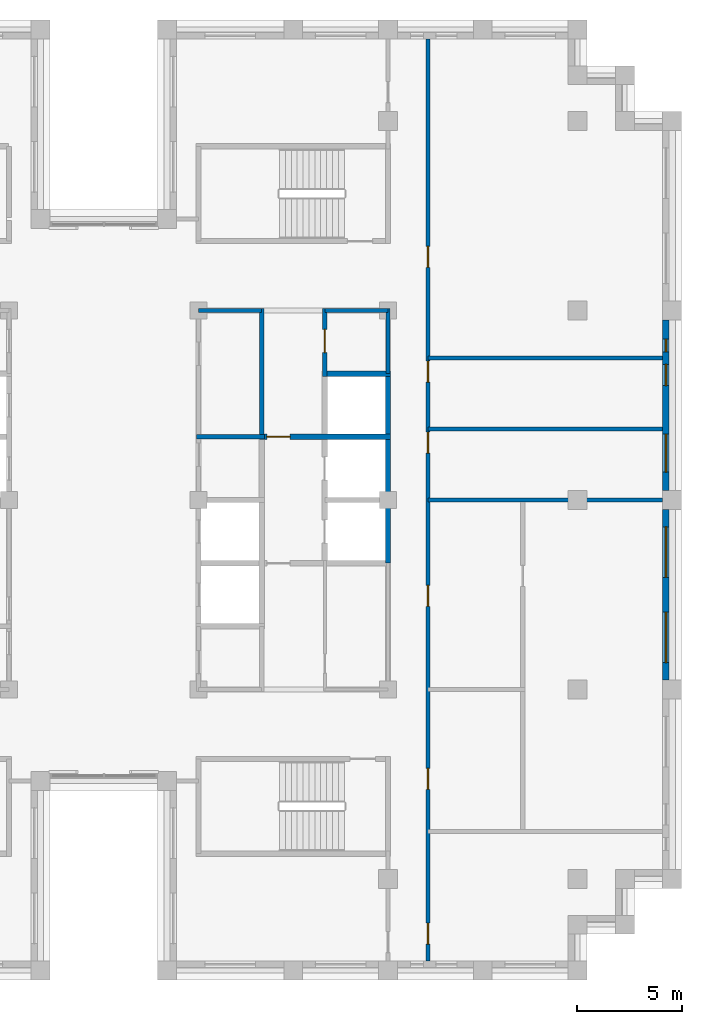
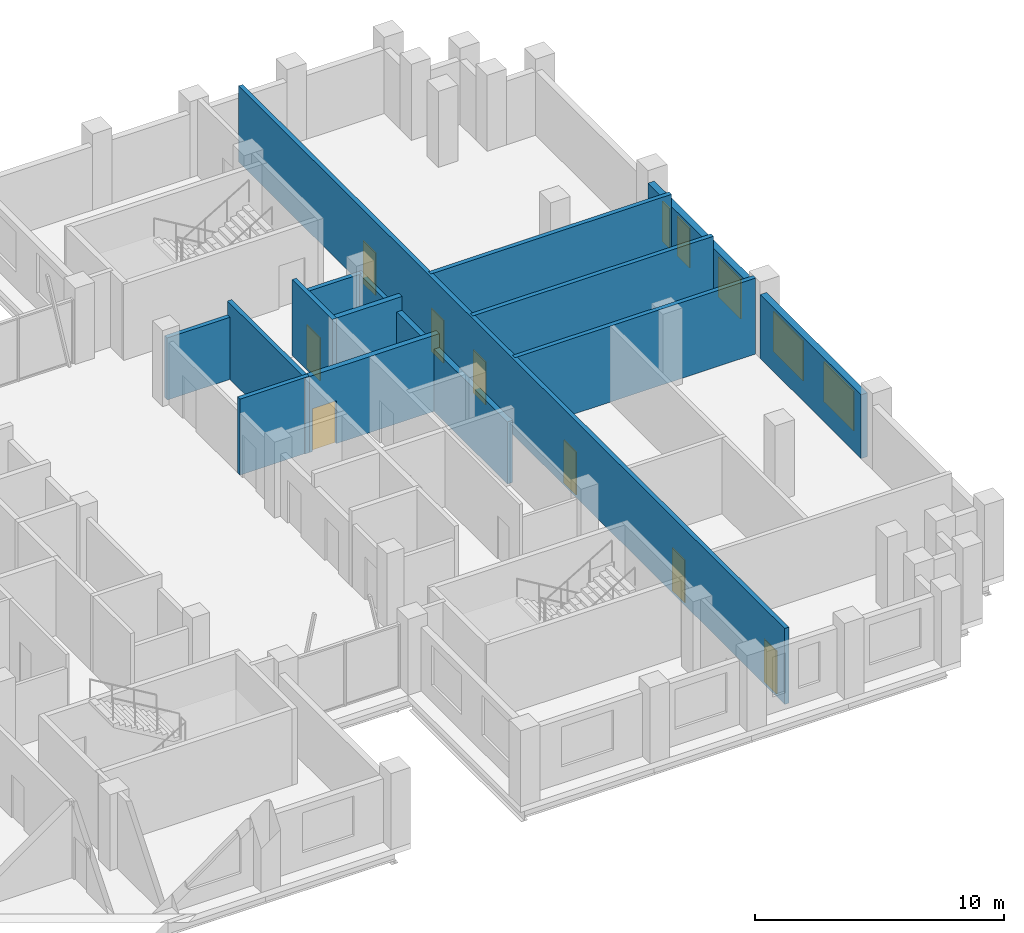
# One storey, part 9 of 13: 15 walls, 8 doors, 5 windows, 13 openings.
"""IFC4 building model written with IfcOpenShell, lengths in metres."""

import ifcopenshell
import ifcopenshell.guid

model = None  # the IFC model being written
_history = None  # IfcOwnerHistory: only IFC2X3 demands one
_inside = {}  # id of a spatial element -> (the spatial element, [elements in it])
_under = {}  # id of a project, library or spatial element -> (it, [spatial elements below it])
_declared = {}  # id of a project -> (the project, [libraries it declares])
_typed = {}  # id of a type object -> (the type object, [elements of that type])
_made_of = {}  # id of a material, layer set ... -> (it, [elements and type objects made of it])


def new_model(schema):
    """Start an empty IFC model of exactly this schema.

    Asked for "IFC4X3", IfcOpenShell would pick the latest addendum, in which some entities
    have other attributes; the version numbers below select the first issue.
    IFC2X3 requires an IfcOwnerHistory on every rooted entity: one is made here for all.
    """
    global model, _history
    if schema == "IFC4X3":
        model = ifcopenshell.file(schema_version=(4, 3, 0, 0))
    else:
        model = ifcopenshell.file(schema=schema)
    _inside.clear()
    _under.clear()
    _declared.clear()
    _typed.clear()
    _made_of.clear()
    _history = None
    if model.schema == "IFC2X3":
        org = make("IfcOrganization", Name="unknown")
        user = make(
            "IfcPersonAndOrganization",
            ThePerson=make("IfcPerson", FamilyName="unknown"),
            TheOrganization=org,
        )
        app = make(
            "IfcApplication",
            ApplicationDeveloper=org,
            Version="unknown",
            ApplicationFullName="unknown",
            ApplicationIdentifier="unknown",
        )
        _history = make(
            "IfcOwnerHistory",
            OwningUser=user,
            OwningApplication=app,
            ChangeAction="ADDED",
            CreationDate=0,
        )
    return model


def make(cls, **values):
    """One entity of the class cls with the attributes given. An attribute that is None is left unset."""
    return model.create_entity(
        cls, **{name: value for name, value in values.items() if value is not None}
    )


def rooted(cls, **values):
    """An entity with a GlobalId (a new one), such as an element, a storey or a relation."""
    return make(cls, GlobalId=ifcopenshell.guid.new(), OwnerHistory=_history, **values)


def si_unit(unit_type, name, prefix=None):
    """IfcSIUnit, for example si_unit("LENGTHUNIT", "METRE", prefix="MILLI")."""
    return make("IfcSIUnit", UnitType=unit_type, Prefix=prefix, Name=name)


def assignment(units):
    """IfcUnitAssignment: the units of a project."""
    return None if units is None else make("IfcUnitAssignment", Units=units)


def point(xyz):
    """IfcCartesianPoint."""
    return None if xyz is None else make("IfcCartesianPoint", Coordinates=xyz)


def direction(xyz):
    """IfcDirection."""
    return None if xyz is None else make("IfcDirection", DirectionRatios=xyz)


def frame(location, z_axis=None, x_axis=None):
    """IfcAxis2Placement3D, a coordinate frame: its origin and axes. An axis left out is left unset."""
    return make(
        "IfcAxis2Placement3D",
        Location=point(location),
        Axis=direction(z_axis),
        RefDirection=direction(x_axis),
    )


def frame_2d(location, x_axis=None):
    """IfcAxis2Placement2D, a coordinate frame in the plane: its origin and x axis."""
    return make(
        "IfcAxis2Placement2D", Location=point(location), RefDirection=direction(x_axis)
    )


def origin():
    """The frame at (0, 0, 0) with its axes left unset."""
    return frame((0.0, 0.0, 0.0))


def place(relative_to, where):
    """IfcLocalPlacement: puts the frame where relative to a parent placement (None: the world)."""
    return make(
        "IfcLocalPlacement", PlacementRelTo=relative_to, RelativePlacement=where
    )


def context(
    kind, dimensions, precision=None, world=None, true_north=None, identifier=None
):
    """IfcGeometricRepresentationContext, for example the 3D "Model" context."""
    return make(
        "IfcGeometricRepresentationContext",
        ContextIdentifier=identifier,
        ContextType=kind,
        CoordinateSpaceDimension=dimensions,
        Precision=precision,
        WorldCoordinateSystem=world,
        TrueNorth=true_north,
    )


def subcontext(parent, identifier, kind, view, scale=None):
    """IfcGeometricRepresentationSubContext, for example "Body" below "Model"."""
    return make(
        "IfcGeometricRepresentationSubContext",
        ContextIdentifier=identifier,
        ContextType=kind,
        ParentContext=parent,
        TargetScale=scale,
        TargetView=view,
    )


def project(units=None, contexts=None):
    """IfcProject with its units and contexts."""
    return rooted(
        "IfcProject",
        Name="project",
        RepresentationContexts=contexts,
        UnitsInContext=assignment(units),
    )


def spatial(cls, under=None, at=None, **own):
    """A site, building, storey or space (cls), placed at a placement, below another one or the project."""
    s = rooted(cls, ObjectPlacement=at, **own)
    if under is not None:
        _under.setdefault(under.id(), (under, []))[1].append(s)
    return s


def profile(cls, at=None, kind="AREA", **sizes):
    """A parametric profile (cls). Its sizes go by their IFC names, for example OverallWidth=200.0."""
    return make(cls, ProfileType=kind, Position=at, **sizes)


def rectangle(**sizes):
    """IfcRectangleProfileDef."""
    return profile("IfcRectangleProfileDef", **sizes)


def extrude(swept, where, along, depth):
    """IfcExtrudedAreaSolid: the profile swept, set in the frame where, extruded along a direction by depth."""
    return make(
        "IfcExtrudedAreaSolid",
        SweptArea=swept,
        Position=where,
        ExtrudedDirection=direction(along),
        Depth=depth,
    )


def shape(context_of_items, identifier, shape_type, items):
    """IfcShapeRepresentation: the items that make up one representation, for example the "Body"."""
    return make(
        "IfcShapeRepresentation",
        ContextOfItems=context_of_items,
        RepresentationIdentifier=identifier,
        RepresentationType=shape_type,
        Items=items,
    )


def material(Name=None, Category=None):
    """IfcMaterial."""
    return make("IfcMaterial", Name=Name, Category=Category)


def layer(
    of_material, thickness, ventilated=None, Name=None, Category=None, Priority=None
):
    """IfcMaterialLayer: one layer of a wall or slab, of a material (None: an air gap)."""
    return make(
        "IfcMaterialLayer",
        Material=of_material,
        LayerThickness=thickness,
        IsVentilated=ventilated,
        Name=Name,
        Category=Category,
        Priority=Priority,
    )


def layer_set(layers, Name=None):
    """IfcMaterialLayerSet."""
    return make("IfcMaterialLayerSet", MaterialLayers=layers, LayerSetName=Name)


def made_of(thing, what):
    """Note that an element or type object is made of a material, layer set ...; save() writes the relation."""
    if what is not None:
        _made_of.setdefault(what.id(), (what, []))[1].append(thing)
    return thing


def type_object(cls, material=None, **own):
    """A type object (cls), such as IfcWallType, which elements share."""
    return made_of(rooted(cls, **own), material)


def element(
    cls,
    number,
    at=None,
    inside=None,
    cuts=None,
    type_object=None,
    material=None,
    context=None,
    identifier="Body",
    shape_type=None,
    held_by="IfcProductDefinitionShape",
    body=None,
    shapes=None,
    **own,
):
    """One element of the class cls, such as IfcWall. Its Tag is "e" and its number.

    at: its placement. inside: the storey or other place that contains it. cuts: it is an
    opening in that element (IfcRelVoidsElement). A single representation is given by context,
    identifier, shape_type and body (its items); several are given by shapes. held_by: the class
    of the entity that holds the representations. save() writes the other relations.
    """
    e = rooted(cls, Tag="e%d" % number, ObjectPlacement=at, **own)
    if body is not None:
        shapes = [shape(context, identifier, shape_type, body)]
    if shapes is not None:
        e.Representation = make(held_by, Representations=shapes)
    if inside is not None:
        _inside.setdefault(inside.id(), (inside, []))[1].append(e)
    if cuts is not None:
        rooted(
            "IfcRelVoidsElement", RelatingBuildingElement=cuts, RelatedOpeningElement=e
        )
    if type_object is not None:
        _typed.setdefault(type_object.id(), (type_object, []))[1].append(e)
    return made_of(e, material)


def fill(opening, filler):
    """IfcRelFillsElement: the door or window that sits in an opening."""
    return rooted(
        "IfcRelFillsElement",
        RelatingOpeningElement=opening,
        RelatedBuildingElement=filler,
    )


def aggregate(whole, parts):
    """IfcRelAggregates: a whole, such as a stair, and the parts it consists of."""
    return rooted("IfcRelAggregates", RelatingObject=whole, RelatedObjects=parts)


def save(model, path):
    """Write the relations noted so far, then the file.

    IfcRelAggregates (storeys below a building ...), IfcRelContainedInSpatialStructure (elements
    in a storey), IfcRelDefinesByType, IfcRelAssociatesMaterial and IfcRelDeclares: one each for
    every whole, place, type object, material and project.
    """
    for whole, parts in _under.values():
        aggregate(whole, parts)
    for where, things in _inside.values():
        rooted(
            "IfcRelContainedInSpatialStructure",
            RelatedElements=things,
            RelatingStructure=where,
        )
    for kind, things in _typed.values():
        rooted("IfcRelDefinesByType", RelatedObjects=things, RelatingType=kind)
    for what, things in _made_of.values():
        rooted("IfcRelAssociatesMaterial", RelatedObjects=things, RelatingMaterial=what)
    for by, libraries in _declared.values():
        rooted("IfcRelDeclares", RelatingContext=by, RelatedDefinitions=libraries)
    model.write(path)


model = new_model("IFC4")

# Units and contexts
model_context = context("Model", 3, precision=1e-05, world=origin(), true_north=direction((0.0, 1.0)))
body_context = subcontext(model_context, "Body", "Model", "MODEL_VIEW")
ifc_project = project(units=[si_unit("LENGTHUNIT", "METRE"), si_unit("AREAUNIT", "SQUARE_METRE"), si_unit("VOLUMEUNIT", "CUBIC_METRE"), si_unit("PLANEANGLEUNIT", "RADIAN"), si_unit("MASSUNIT", "GRAM", prefix="KILO")], contexts=[model_context])

# Site, building, storey
site_placement = place(None, origin())
site = spatial("IfcSite", under=ifc_project, at=site_placement, CompositionType="ELEMENT")
building_placement = place(site_placement, origin())
building = spatial("IfcBuilding", under=site, at=building_placement, Name="Corbelhall Arena Tower", CompositionType="ELEMENT")
storey_placement = place(building_placement, frame((0.0, 0.0, 286.0)))
storey = spatial("IfcBuildingStorey", under=building, at=storey_placement, Name="L62", CompositionType="ELEMENT", Elevation=286.0)

# Wall, openings, windows
ifc_material_1 = material(Name="Precast concrete C40/50 with granite facing", Category="masonry")
ifc_layer_1 = layer(ifc_material_1, 0.300048828125)
ifc_layer_set_1 = layer_set([ifc_layer_1], Name="EV-IW1 Infill panel 300")
wall_type_1 = type_object("IfcWallType", Name="EV-IW1 Infill panel 300", PredefinedType="SOLIDWALL", material=ifc_layer_set_1)
wall_1_placement = place(storey_placement, frame((26.699951171875, -8.550048828125, 0.0), z_axis=(0.0, 0.0, 1.0), x_axis=(0.0, 1.0, 0.0)))
wall_1 = element("IfcWall", 1, at=wall_1_placement, inside=storey, type_object=wall_type_1, Name="Infill panel IW1", PredefinedType="SOLIDWALL", context=body_context, shape_type="SweptSolid", body=[
    extrude(rectangle(XDim=8.10009765625, YDim=0.300048828125, at=frame_2d((4.050048828125, 0.0))), origin(), (0.0, 0.0, 1.0), 3.1201171875),
])
opening_1_placement = place(wall_1_placement, frame((0.824951171875, 0.0, 0.800048828125)))
opening_1 = element("IfcOpeningElement", 2, at=opening_1_placement, cuts=wall_1, Name="Opening WN1", PredefinedType="OPENING", context=body_context, shape_type="SweptSolid", body=[
    extrude(rectangle(XDim=2.39990234375, YDim=1.949951171875, at=frame_2d((1.199951171875, 0.97509765625))), frame((0.0, 0.14990234375, 0.0), z_axis=(0.0, -1.0, 0.0), x_axis=(1.0, 0.0, 0.0)), (0.0, 0.0, 1.0), 0.300048828125),
])
opening_2_placement = place(wall_1_placement, frame((4.875, 0.0, 0.800048828125)))
opening_2 = element("IfcOpeningElement", 3, at=opening_2_placement, cuts=wall_1, Name="Opening WN1", PredefinedType="OPENING", context=body_context, shape_type="SweptSolid", body=[
    extrude(rectangle(XDim=2.39990234375, YDim=1.949951171875, at=frame_2d((1.199951171875, 0.97509765625))), frame((0.0, 0.14990234375, 0.0), z_axis=(0.0, -1.0, 0.0), x_axis=(1.0, 0.0, 0.0)), (0.0, 0.0, 1.0), 0.300048828125),
])
ifc_material_2 = material(Name="Aluminium black anodised", Category="aluminium")
window_type_1 = type_object("IfcWindowType", Name="EV-WN1 Office window", PartitioningType="SINGLE_PANEL", PredefinedType="WINDOW", material=ifc_material_2)
window_1_placement = place(opening_1_placement, origin())
window_1 = element("IfcWindow", 4, at=window_1_placement, inside=storey, type_object=window_type_1, Name="Window WN1", OverallHeight=1.949951171875, OverallWidth=2.39990234375, PartitioningType="SINGLE_PANEL", PredefinedType="WINDOW", context=body_context, shape_type="SweptSolid", body=[
    extrude(rectangle(XDim=2.39990234375, YDim=1.949951171875, at=frame_2d((1.199951171875, 0.97509765625))), frame((0.0, 0.030029296875, 0.0), z_axis=(0.0, -1.0, 0.0), x_axis=(1.0, 0.0, 0.0)), (0.0, 0.0, 1.0), 0.06005859375),
])
fill(opening_1, window_1)
window_2_placement = place(opening_2_placement, origin())
window_2 = element("IfcWindow", 5, at=window_2_placement, inside=storey, type_object=window_type_1, Name="Window WN1", OverallHeight=1.949951171875, OverallWidth=2.39990234375, PartitioningType="SINGLE_PANEL", PredefinedType="WINDOW", context=body_context, shape_type="SweptSolid", body=[
    extrude(rectangle(XDim=2.39990234375, YDim=1.949951171875, at=frame_2d((1.199951171875, 0.97509765625))), frame((0.0, 0.030029296875, 0.0), z_axis=(0.0, -1.0, 0.0), x_axis=(1.0, 0.0, 0.0)), (0.0, 0.0, 1.0), 0.06005859375),
])
fill(opening_2, window_2)

wall_2_placement = place(storey_placement, frame((26.699951171875, 0.449951171875, 0.0), z_axis=(0.0, 0.0, 1.0), x_axis=(0.0, 1.0, 0.0)))
wall_2 = element("IfcWall", 6, at=wall_2_placement, inside=storey, type_object=wall_type_1, Name="Infill panel IW1", PredefinedType="SOLIDWALL", context=body_context, shape_type="SweptSolid", body=[
    extrude(rectangle(XDim=8.10009765625, YDim=0.300048828125, at=frame_2d((4.050048828125, 0.0))), origin(), (0.0, 0.0, 1.0), 3.1201171875),
])
opening_3_placement = place(wall_2_placement, frame((0.875, 0.0, 0.800048828125)))
opening_3 = element("IfcOpeningElement", 7, at=opening_3_placement, cuts=wall_2, Name="Opening WN8", PredefinedType="OPENING", context=body_context, shape_type="SweptSolid", body=[
    extrude(rectangle(XDim=1.800048828125, YDim=1.949951171875, at=frame_2d((0.89990234375, 0.97509765625))), frame((0.0, 0.14990234375, 0.0), z_axis=(0.0, -1.0, 0.0), x_axis=(1.0, 0.0, 0.0)), (0.0, 0.0, 1.0), 0.300048828125),
])
opening_4_placement = place(wall_2_placement, frame((4.987548828125, 0.0, 0.800048828125)))
opening_4 = element("IfcOpeningElement", 8, at=opening_4_placement, cuts=wall_2, Name="Opening WN6", PredefinedType="OPENING", context=body_context, shape_type="SweptSolid", body=[
    extrude(rectangle(XDim=1.0, YDim=1.949951171875, at=frame_2d((0.5, 0.97509765625))), frame((0.0, 0.14990234375, 0.0), z_axis=(0.0, -1.0, 0.0), x_axis=(1.0, 0.0, 0.0)), (0.0, 0.0, 1.0), 0.300048828125),
])
opening_5_placement = place(wall_2_placement, frame((6.58740234375, 0.0, 0.800048828125)))
opening_5 = element("IfcOpeningElement", 9, at=opening_5_placement, cuts=wall_2, Name="Opening WN5", PredefinedType="OPENING", context=body_context, shape_type="SweptSolid", body=[
    extrude(rectangle(XDim=0.60009765625, YDim=1.949951171875, at=frame_2d((0.300048828125, 0.97509765625))), frame((0.0, 0.14990234375, 0.0), z_axis=(0.0, -1.0, 0.0), x_axis=(1.0, 0.0, 0.0)), (0.0, 0.0, 1.0), 0.300048828125),
])
window_type_2 = type_object("IfcWindowType", Name="EV-WN5 Office window 600", PartitioningType="SINGLE_PANEL", PredefinedType="WINDOW", material=ifc_material_2)
window_3_placement = place(opening_5_placement, origin())
window_3 = element("IfcWindow", 10, at=window_3_placement, inside=storey, type_object=window_type_2, Name="Window WN5", OverallHeight=1.949951171875, OverallWidth=0.60009765625, PartitioningType="SINGLE_PANEL", PredefinedType="WINDOW", context=body_context, shape_type="SweptSolid", body=[
    extrude(rectangle(XDim=0.60009765625, YDim=1.949951171875, at=frame_2d((0.300048828125, 0.97509765625))), frame((0.0, 0.030029296875, 0.0), z_axis=(0.0, -1.0, 0.0), x_axis=(1.0, 0.0, 0.0)), (0.0, 0.0, 1.0), 0.06005859375),
])
fill(opening_5, window_3)
window_type_3 = type_object("IfcWindowType", Name="EV-WN6 Office window 1000", PartitioningType="SINGLE_PANEL", PredefinedType="WINDOW", material=ifc_material_2)
window_4_placement = place(opening_4_placement, origin())
window_4 = element("IfcWindow", 11, at=window_4_placement, inside=storey, type_object=window_type_3, Name="Window WN6", OverallHeight=1.949951171875, OverallWidth=1.0, PartitioningType="SINGLE_PANEL", PredefinedType="WINDOW", context=body_context, shape_type="SweptSolid", body=[
    extrude(rectangle(XDim=1.0, YDim=1.949951171875, at=frame_2d((0.5, 0.97509765625))), frame((0.0, 0.030029296875, 0.0), z_axis=(0.0, -1.0, 0.0), x_axis=(1.0, 0.0, 0.0)), (0.0, 0.0, 1.0), 0.06005859375),
])
fill(opening_4, window_4)
window_type_4 = type_object("IfcWindowType", Name="EV-WN8 Office window 1800", PartitioningType="SINGLE_PANEL", PredefinedType="WINDOW", material=ifc_material_2)
window_5_placement = place(opening_3_placement, origin())
window_5 = element("IfcWindow", 12, at=window_5_placement, inside=storey, type_object=window_type_4, Name="Window WN8", OverallHeight=1.949951171875, OverallWidth=1.800048828125, PartitioningType="SINGLE_PANEL", PredefinedType="WINDOW", context=body_context, shape_type="SweptSolid", body=[
    extrude(rectangle(XDim=1.800048828125, YDim=1.949951171875, at=frame_2d((0.89990234375, 0.97509765625))), frame((0.0, 0.030029296875, 0.0), z_axis=(0.0, -1.0, 0.0), x_axis=(1.0, 0.0, 0.0)), (0.0, 0.0, 1.0), 0.06005859375),
])
fill(opening_3, window_5)

# Wall, openings, doors
ifc_material_3 = material(Name="Gypsum board on steel stud, acoustic", Category="steel")
ifc_layer_2 = layer(ifc_material_3, 0.199951171875)
ifc_layer_set_2 = layer_set([ifc_layer_2], Name="IN-W-DM200")
wall_type_2 = type_object("IfcWallType", Name="IN-W-DM200", PredefinedType="PARTITIONING", material=ifc_layer_set_2)
wall_3_placement = place(storey_placement, frame((15.39990234375, 21.89990234375, 0.0), z_axis=(0.0, 0.0, 1.0), x_axis=(0.0, -1.0, 0.0)))
wall_3 = element("IfcWall", 13, at=wall_3_placement, inside=storey, type_object=wall_type_2, Name="Partition 015", PredefinedType="PARTITIONING", context=body_context, shape_type="SweptSolid", body=[
    extrude(rectangle(XDim=43.7998046875, YDim=0.199951171875, at=frame_2d((21.89990234375, 0.0))), origin(), (0.0, 0.0, 1.0), 3.719970703125),
])
opening_6_placement = place(wall_3_placement, frame((18.675048828125, 0.0, 0.0)))
opening_6 = element("IfcOpeningElement", 14, at=opening_6_placement, cuts=wall_3, Name="Opening 20028", PredefinedType="OPENING", context=body_context, shape_type="SweptSolid", body=[
    extrude(rectangle(XDim=1.0, YDim=2.10009765625, at=frame_2d((0.5, 1.050048828125))), frame((0.0, 0.10009765625, 0.0), z_axis=(0.0, -1.0, 0.0), x_axis=(1.0, 0.0, 0.0)), (0.0, 0.0, 1.0), 0.199951171875),
])
opening_7_placement = place(wall_3_placement, frame((15.300048828125, 0.0, 0.0)))
opening_7 = element("IfcOpeningElement", 15, at=opening_7_placement, cuts=wall_3, Name="Opening 20029", PredefinedType="OPENING", context=body_context, shape_type="SweptSolid", body=[
    extrude(rectangle(XDim=1.0, YDim=2.10009765625, at=frame_2d((0.5, 1.050048828125))), frame((0.0, 0.10009765625, 0.0), z_axis=(0.0, -1.0, 0.0), x_axis=(1.0, 0.0, 0.0)), (0.0, 0.0, 1.0), 0.199951171875),
])
opening_8_placement = place(wall_3_placement, frame((9.85009765625, 0.0, 0.0)))
opening_8 = element("IfcOpeningElement", 16, at=opening_8_placement, cuts=wall_3, Name="Opening 20030", PredefinedType="OPENING", context=body_context, shape_type="SweptSolid", body=[
    extrude(rectangle(XDim=1.0, YDim=2.10009765625, at=frame_2d((0.5, 1.050048828125))), frame((0.0, 0.10009765625, 0.0), z_axis=(0.0, -1.0, 0.0), x_axis=(1.0, 0.0, 0.0)), (0.0, 0.0, 1.0), 0.199951171875),
])
opening_9_placement = place(wall_3_placement, frame((42.0, 0.0, 0.0)))
opening_9 = element("IfcOpeningElement", 17, at=opening_9_placement, cuts=wall_3, Name="Opening 20031", PredefinedType="OPENING", context=body_context, shape_type="SweptSolid", body=[
    extrude(rectangle(XDim=1.0, YDim=2.10009765625, at=frame_2d((0.5, 1.050048828125))), frame((0.0, 0.10009765625, 0.0), z_axis=(0.0, -1.0, 0.0), x_axis=(1.0, 0.0, 0.0)), (0.0, 0.0, 1.0), 0.199951171875),
])
opening_10_placement = place(wall_3_placement, frame((34.64990234375, 0.0, 0.0)))
opening_10 = element("IfcOpeningElement", 18, at=opening_10_placement, cuts=wall_3, Name="Opening 20032", PredefinedType="OPENING", context=body_context, shape_type="SweptSolid", body=[
    extrude(rectangle(XDim=1.0, YDim=2.10009765625, at=frame_2d((0.5, 1.050048828125))), frame((0.0, 0.10009765625, 0.0), z_axis=(0.0, -1.0, 0.0), x_axis=(1.0, 0.0, 0.0)), (0.0, 0.0, 1.0), 0.199951171875),
])
opening_11_placement = place(wall_3_placement, frame((25.949951171875, 0.0, 0.0)))
opening_11 = element("IfcOpeningElement", 19, at=opening_11_placement, cuts=wall_3, Name="Opening 20033", PredefinedType="OPENING", context=body_context, shape_type="SweptSolid", body=[
    extrude(rectangle(XDim=1.0, YDim=2.10009765625, at=frame_2d((0.5, 1.050048828125))), frame((0.0, 0.10009765625, 0.0), z_axis=(0.0, -1.0, 0.0), x_axis=(1.0, 0.0, 0.0)), (0.0, 0.0, 1.0), 0.199951171875),
])
ifc_material_4 = material(Name="Steel door set", Category="steel")
door_type_1 = type_object("IfcDoorType", Name="IN-D-SW100", OperationType="NOTDEFINED", PredefinedType="DOOR", material=ifc_material_4)
door_1_placement = place(opening_6_placement, origin())
door_1 = element("IfcDoor", 20, at=door_1_placement, inside=storey, type_object=door_type_1, Name="Door 028", OperationType="SINGLE_SWING_LEFT", OverallHeight=2.10009765625, OverallWidth=1.0, PredefinedType="DOOR", context=body_context, shape_type="SweptSolid", body=[
    extrude(rectangle(XDim=1.0, YDim=2.10009765625, at=frame_2d((0.5, 1.050048828125))), frame((0.0, 0.02490234375, 0.0), z_axis=(0.0, -1.0, 0.0), x_axis=(1.0, 0.0, 0.0)), (0.0, 0.0, 1.0), 0.050048828125),
])
fill(opening_6, door_1)
door_2_placement = place(opening_7_placement, origin())
door_2 = element("IfcDoor", 21, at=door_2_placement, inside=storey, type_object=door_type_1, Name="Door 029", OperationType="SINGLE_SWING_RIGHT", OverallHeight=2.10009765625, OverallWidth=1.0, PredefinedType="DOOR", context=body_context, shape_type="SweptSolid", body=[
    extrude(rectangle(XDim=1.0, YDim=2.10009765625, at=frame_2d((0.5, 1.050048828125))), frame((0.0, 0.02490234375, 0.0), z_axis=(0.0, -1.0, 0.0), x_axis=(1.0, 0.0, 0.0)), (0.0, 0.0, 1.0), 0.050048828125),
])
fill(opening_7, door_2)
door_3_placement = place(opening_8_placement, origin())
door_3 = element("IfcDoor", 22, at=door_3_placement, inside=storey, type_object=door_type_1, Name="Door 030", OperationType="SINGLE_SWING_LEFT", OverallHeight=2.10009765625, OverallWidth=1.0, PredefinedType="DOOR", context=body_context, shape_type="SweptSolid", body=[
    extrude(rectangle(XDim=1.0, YDim=2.10009765625, at=frame_2d((0.5, 1.050048828125))), frame((0.0, 0.02490234375, 0.0), z_axis=(0.0, -1.0, 0.0), x_axis=(1.0, 0.0, 0.0)), (0.0, 0.0, 1.0), 0.050048828125),
])
fill(opening_8, door_3)
door_4_placement = place(opening_9_placement, origin())
door_4 = element("IfcDoor", 23, at=door_4_placement, inside=storey, type_object=door_type_1, Name="Door 031", OperationType="SINGLE_SWING_RIGHT", OverallHeight=2.10009765625, OverallWidth=1.0, PredefinedType="DOOR", context=body_context, shape_type="SweptSolid", body=[
    extrude(rectangle(XDim=1.0, YDim=2.10009765625, at=frame_2d((0.5, 1.050048828125))), frame((0.0, 0.02490234375, 0.0), z_axis=(0.0, -1.0, 0.0), x_axis=(1.0, 0.0, 0.0)), (0.0, 0.0, 1.0), 0.050048828125),
])
fill(opening_9, door_4)
door_5_placement = place(opening_10_placement, origin())
door_5 = element("IfcDoor", 24, at=door_5_placement, inside=storey, type_object=door_type_1, Name="Door 032", OperationType="SINGLE_SWING_LEFT", OverallHeight=2.10009765625, OverallWidth=1.0, PredefinedType="DOOR", context=body_context, shape_type="SweptSolid", body=[
    extrude(rectangle(XDim=1.0, YDim=2.10009765625, at=frame_2d((0.5, 1.050048828125))), frame((0.0, 0.02490234375, 0.0), z_axis=(0.0, -1.0, 0.0), x_axis=(1.0, 0.0, 0.0)), (0.0, 0.0, 1.0), 0.050048828125),
])
fill(opening_10, door_5)
door_6_placement = place(opening_11_placement, origin())
door_6 = element("IfcDoor", 25, at=door_6_placement, inside=storey, type_object=door_type_1, Name="Door 033", OperationType="SINGLE_SWING_RIGHT", OverallHeight=2.10009765625, OverallWidth=1.0, PredefinedType="DOOR", context=body_context, shape_type="SweptSolid", body=[
    extrude(rectangle(XDim=1.0, YDim=2.10009765625, at=frame_2d((0.5, 1.050048828125))), frame((0.0, 0.02490234375, 0.0), z_axis=(0.0, -1.0, 0.0), x_axis=(1.0, 0.0, 0.0)), (0.0, 0.0, 1.0), 0.050048828125),
])
fill(opening_11, door_6)

# Walls
for number, where, z_axis, x_axis, name in (
    (26, (15.39990234375, 3.375, 0.0), (0.0, 0.0, 1.0), (1.0, 0.0, 0.0), "Partition 017"),
    (27, (15.39990234375, 6.75, 0.0), (0.0, 0.0, 1.0), (1.0, 0.0, 0.0), "Partition 018"),
    (28, (26.550048828125, 0.0, 0.0), (0.0, 0.0, 1.0), (-1.0, 0.0, 0.0), "Partition 020"),
):
    element("IfcWall", number, at=place(storey_placement, frame(where, z_axis=z_axis, x_axis=x_axis)), inside=storey, type_object=wall_type_2, Name=name, PredefinedType="PARTITIONING", context=body_context, shape_type="SweptSolid", body=[
        extrude(rectangle(XDim=11.150146484375, YDim=0.199951171875, at=frame_2d((5.5751953125, 0.0))), origin(), (0.0, 0.0, 1.0), 3.719970703125),
    ])
ifc_material_5 = material(Name="Concrete block wall", Category="concrete")
ifc_layer_3 = layer(ifc_material_5, 0.199951171875)
ifc_layer_set_3 = layer_set([ifc_layer_3], Name="IN-W-RS200")
wall_type_3 = type_object("IfcWallType", Name="IN-W-RS200", PredefinedType="SOLIDWALL", material=ifc_layer_set_3)
wall_4_placement = place(storey_placement, frame((4.39990234375, 3.0, 0.0), z_axis=(0.0, 0.0, 1.0), x_axis=(1.0, 0.0, 0.0)))
element("IfcWall", 29, at=wall_4_placement, inside=storey, type_object=wall_type_3, Name="Partition 030", PredefinedType="SOLIDWALL", context=body_context, shape_type="SweptSolid", body=[
    extrude(rectangle(XDim=3.22509765625, YDim=0.199951171875, at=frame_2d((1.612548828125, 0.0))), origin(), (0.0, 0.0, 1.0), 3.719970703125),
])
wall_5_placement = place(storey_placement, frame((7.5, 9.10009765625, 0.0), z_axis=(0.0, 0.0, 1.0), x_axis=(0.0, -1.0, 0.0)))
element("IfcWall", 30, at=wall_5_placement, inside=storey, type_object=wall_type_3, Name="Partition 036", PredefinedType="SOLIDWALL", context=body_context, shape_type="SweptSolid", body=[
    extrude(rectangle(XDim=6.22509765625, YDim=0.199951171875, at=frame_2d((3.112548828125, 0.0))), origin(), (0.0, 0.0, 1.0), 3.719970703125),
])

# Wall, opening, door
wall_6_placement = place(storey_placement, frame((10.5, 9.10009765625, 0.0), z_axis=(0.0, 0.0, 1.0), x_axis=(0.0, -1.0, 0.0)))
wall_6 = element("IfcWall", 31, at=wall_6_placement, inside=storey, type_object=wall_type_3, Name="Partition 038", PredefinedType="SOLIDWALL", context=body_context, shape_type="SweptSolid", body=[
    extrude(rectangle(XDim=3.22509765625, YDim=0.199951171875, at=frame_2d((1.612548828125, 0.0))), origin(), (0.0, 0.0, 1.0), 3.719970703125),
])
opening_12_placement = place(wall_6_placement, frame((1.0, 0.0, 0.0)))
opening_12 = element("IfcOpeningElement", 32, at=opening_12_placement, cuts=wall_6, Name="Opening 20015", PredefinedType="OPENING", context=body_context, shape_type="SweptSolid", body=[
    extrude(rectangle(XDim=1.10009765625, YDim=2.10009765625, at=frame_2d((0.550048828125, 1.050048828125))), frame((0.0, 0.10009765625, 0.0), z_axis=(0.0, -1.0, 0.0), x_axis=(1.0, 0.0, 0.0)), (0.0, 0.0, 1.0), 0.199951171875),
])
door_type_2 = type_object("IfcDoorType", Name="IN-D-FD110", OperationType="NOTDEFINED", PredefinedType="DOOR", material=ifc_material_4)
door_7_placement = place(opening_12_placement, origin())
door_7 = element("IfcDoor", 33, at=door_7_placement, inside=storey, type_object=door_type_2, Name="Door 015", OperationType="SINGLE_SWING_RIGHT", OverallHeight=2.10009765625, OverallWidth=1.10009765625, PredefinedType="DOOR", context=body_context, shape_type="SweptSolid", body=[
    extrude(rectangle(XDim=1.10009765625, YDim=2.10009765625, at=frame_2d((0.550048828125, 1.050048828125))), frame((0.0, 0.02490234375, 0.0), z_axis=(0.0, -1.0, 0.0), x_axis=(1.0, 0.0, 0.0)), (0.0, 0.0, 1.0), 0.050048828125),
])
fill(opening_12, door_7)

# Walls
ifc_layer_4 = layer(ifc_material_5, 0.199951171875)
ifc_layer_set_4 = layer_set([ifc_layer_4], Name="IN-W-RS200 under beam 678 mm")
wall_type_4 = type_object("IfcWallType", Name="IN-W-RS200 under beam 678 mm", PredefinedType="SOLIDWALL", material=ifc_layer_set_4)
for number, where, z_axis, x_axis, name in (
    (34, (4.5, 9.0, 0.0), (0.0, 0.0, 1.0), (1.0, 0.0, 0.0), "Partition 033"),
    (35, (10.5, 9.0, 0.0), (0.0, 0.0, 1.0), (1.0, 0.0, 0.0), "Partition 037"),
):
    element("IfcWall", number, at=place(storey_placement, frame(where, z_axis=z_axis, x_axis=x_axis)), inside=storey, type_object=wall_type_4, Name=name, PredefinedType="SOLIDWALL", context=body_context, shape_type="SweptSolid", body=[
        extrude(rectangle(XDim=3.0, YDim=0.199951171875, at=frame_2d((1.5, 0.0))), origin(), (0.0, 0.0, 1.0), 3.041748046875),
    ])
wall_7_placement = place(storey_placement, frame((13.5, 9.10009765625, 0.0), z_axis=(0.0, 0.0, 1.0), x_axis=(0.0, -1.0, 0.0)))
element("IfcWall", 36, at=wall_7_placement, inside=storey, type_object=wall_type_4, Name="Partition 039", PredefinedType="SOLIDWALL", context=body_context, shape_type="SweptSolid", body=[
    extrude(rectangle(XDim=3.10009765625, YDim=0.199951171875, at=frame_2d((1.550048828125, 0.0))), origin(), (0.0, 0.0, 1.0), 3.041748046875),
])

# Wall, opening, door
ifc_material_6 = material(Name="Concrete C40/50", Category="concrete")
ifc_layer_5 = layer(ifc_material_6, 0.25)
ifc_layer_set_5 = layer_set([ifc_layer_5], Name="IN-W-SH250")
wall_type_5 = type_object("IfcWallType", Name="IN-W-SH250", PredefinedType="SOLIDWALL", material=ifc_layer_set_5)
wall_8_placement = place(storey_placement, frame((7.5, 3.0, 0.0), z_axis=(0.0, 0.0, 1.0), x_axis=(1.0, 0.0, 0.0)))
wall_8 = element("IfcWall", 37, at=wall_8_placement, inside=storey, type_object=wall_type_5, Name="Shaft wall 054", PredefinedType="SOLIDWALL", context=body_context, shape_type="SweptSolid", body=[
    extrude(rectangle(XDim=6.125, YDim=0.25, at=frame_2d((3.0625, 0.0))), origin(), (0.0, 0.0, 1.0), 3.719970703125),
])
opening_13_placement = place(wall_8_placement, frame((0.25, 0.0, 0.0)))
opening_13 = element("IfcOpeningElement", 38, at=opening_13_placement, cuts=wall_8, Name="Opening 20013", PredefinedType="OPENING", context=body_context, shape_type="SweptSolid", body=[
    extrude(rectangle(XDim=1.10009765625, YDim=2.10009765625, at=frame_2d((0.550048828125, 1.050048828125))), frame((0.0, 0.125, 0.0), z_axis=(0.0, -1.0, 0.0), x_axis=(1.0, 0.0, 0.0)), (0.0, 0.0, 1.0), 0.25),
])
door_8_placement = place(opening_13_placement, origin())
door_8 = element("IfcDoor", 39, at=door_8_placement, inside=storey, type_object=door_type_2, Name="Door 013", OperationType="SINGLE_SWING_RIGHT", OverallHeight=2.10009765625, OverallWidth=1.10009765625, PredefinedType="DOOR", context=body_context, shape_type="SweptSolid", body=[
    extrude(rectangle(XDim=1.10009765625, YDim=2.10009765625, at=frame_2d((0.550048828125, 1.050048828125))), frame((0.0, 0.02490234375, 0.0), z_axis=(0.0, -1.0, 0.0), x_axis=(1.0, 0.0, 0.0)), (0.0, 0.0, 1.0), 0.050048828125),
])
fill(opening_13, door_8)

# Walls
wall_9_placement = place(storey_placement, frame((10.5, 6.0, 0.0), z_axis=(0.0, 0.0, 1.0), x_axis=(1.0, 0.0, 0.0)))
element("IfcWall", 40, at=wall_9_placement, inside=storey, type_object=wall_type_5, Name="Shaft wall 057", PredefinedType="SOLIDWALL", context=body_context, shape_type="SweptSolid", body=[
    extrude(rectangle(XDim=3.125, YDim=0.25, at=frame_2d((1.5625, 0.0))), origin(), (0.0, 0.0, 1.0), 3.719970703125),
])
ifc_layer_6 = layer(ifc_material_6, 0.25)
ifc_layer_set_6 = layer_set([ifc_layer_6], Name="IN-W-SH250 under beam 678 mm")
wall_type_6 = type_object("IfcWallType", Name="IN-W-SH250 under beam 678 mm", PredefinedType="SOLIDWALL", material=ifc_layer_set_6)
wall_10_placement = place(storey_placement, frame((13.5, 6.0, 0.0), z_axis=(0.0, 0.0, 1.0), x_axis=(0.0, -1.0, 0.0)))
element("IfcWall", 41, at=wall_10_placement, inside=storey, type_object=wall_type_6, Name="Shaft wall 058", PredefinedType="SOLIDWALL", context=body_context, shape_type="SweptSolid", body=[
    extrude(rectangle(XDim=9.0, YDim=0.25, at=frame_2d((4.5, 0.0))), origin(), (0.0, 0.0, 1.0), 3.041748046875),
])

save(model, "model.ifc")
